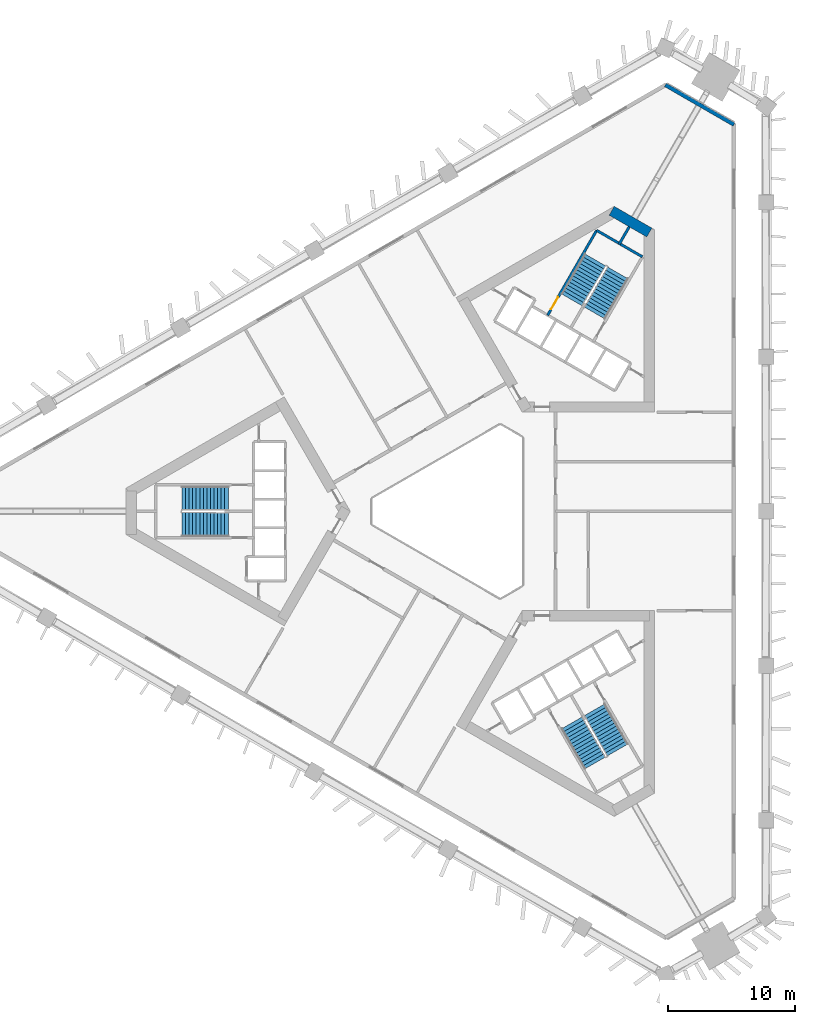
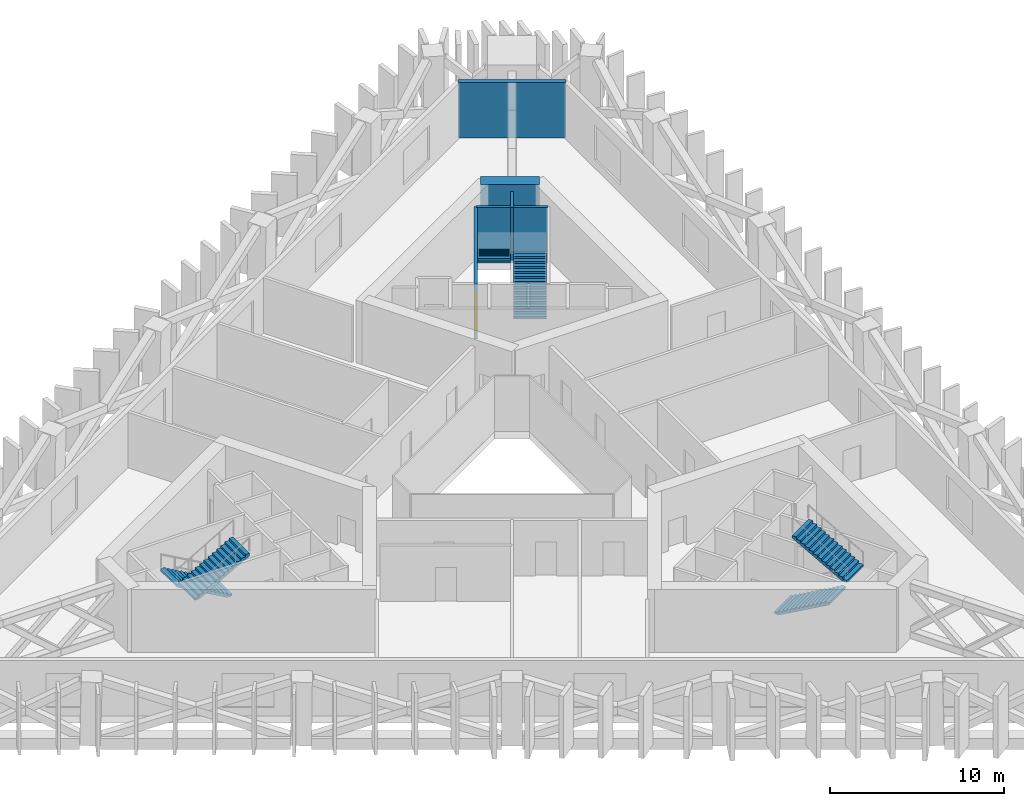
# One storey, part 7 of 9: 6 stair flights, 5 walls, 1 door, 1 opening, 3 elements without a shape of their own.
"""IFC4 building model written with IfcOpenShell, lengths in metres."""

from ifc_helpers import new_model, si_unit, direction, frame, frame_2d, origin, place, context, subcontext, project, spatial, polyline, rectangle, outline, extrude, material, layer, layer_set, type_object, element, fill, aggregate, save


model = new_model("IFC4")

# Units and contexts
model_context = context("Model", 3, precision=1e-05, world=origin(), true_north=direction((0.0, 1.0)))
body_context = subcontext(model_context, "Body", "Model", "MODEL_VIEW")
ifc_project = project(units=[si_unit("LENGTHUNIT", "METRE"), si_unit("AREAUNIT", "SQUARE_METRE"), si_unit("VOLUMEUNIT", "CUBIC_METRE"), si_unit("PLANEANGLEUNIT", "RADIAN"), si_unit("MASSUNIT", "GRAM", prefix="KILO")], contexts=[model_context])

# Site, building, storey
site_placement = place(None, origin())
site = spatial("IfcSite", under=ifc_project, at=site_placement, CompositionType="ELEMENT")
building_placement = place(site_placement, origin())
building = spatial("IfcBuilding", under=site, at=building_placement, Name="Jabali Bay Hotel Tower and Convention Centre", CompositionType="ELEMENT")
storey_placement = place(building_placement, frame((0.0, 0.0, 48.5)))
storey = spatial("IfcBuildingStorey", under=building, at=storey_placement, Name="L10", CompositionType="ELEMENT", Elevation=48.5)

# Wall
ifc_material_1 = material(Name="Concrete C40", Category="concrete")
ifc_layer_1 = layer(ifc_material_1, 0.199951171875)
ifc_layer_set_1 = layer_set([ifc_layer_1], Name="Concrete C40")
wall_type_1 = type_object("IfcWallType", Name="Core partition wall 200", PredefinedType="PARTITIONING", material=ifc_layer_set_1)
wall_1_placement = place(storey_placement, frame((87.090087890625, 100.9404296875, 0.0), z_axis=(0.0, 0.0, 1.0), x_axis=(0.499956811548, 0.866050337213, 0.0)))
element("IfcWall", 1, at=wall_1_placement, inside=storey, type_object=wall_type_1, Name="Core wall 1.5 L10", PredefinedType="PARTITIONING", context=body_context, shape_type="SweptSolid", body=[
    extrude(rectangle(XDim=1.623291015625, YDim=0.199951171875, at=frame_2d((0.8115234375, 0.0))), origin(), (0.0, 0.0, 1.0), 3.89990234375),
])

# Wall, opening, door
ifc_layer_2 = layer(ifc_material_1, 0.199951171875)
ifc_layer_set_2 = layer_set([ifc_layer_2], Name="Concrete C40")
wall_type_2 = type_object("IfcWallType", Name="Core stair wall 200", PredefinedType="SOLIDWALL", material=ifc_layer_set_2)
wall_2_placement = place(storey_placement, frame((81.492919921875, 95.396240234375, 0.0), z_axis=(0.0, 0.0, 1.0), x_axis=(0.500006057782, 0.866021906294, 0.0)))
wall_2 = element("IfcWall", 2, at=wall_2_placement, inside=storey, type_object=wall_type_2, Name="Core wall 1.7 L10", PredefinedType="SOLIDWALL", context=body_context, shape_type="SweptSolid", body=[
    extrude(rectangle(XDim=7.7001953125, YDim=0.199951171875, at=frame_2d((3.85009765625, 0.0))), origin(), (0.0, 0.0, 1.0), 3.89990234375),
])
opening_placement = place(wall_2_placement, frame((0.550048828125, 0.0, 0.0)))
opening = element("IfcOpeningElement", 3, at=opening_placement, cuts=wall_2, Name="Opening D298", PredefinedType="OPENING", context=body_context, shape_type="SweptSolid", body=[
    extrude(rectangle(XDim=1.10009765625, YDim=2.10009765625, at=frame_2d((0.550048828125, 1.050048828125))), frame((0.0, 0.1103515625, 0.0), z_axis=(0.0, -1.0, 0.0), x_axis=(1.0, 0.0, 0.0)), (0.0, 0.0, 1.0), 0.220947265625),
])
ifc_material_2 = material(Name="Fire-rated steel door", Category="steel")
door_type = type_object("IfcDoorType", Name="Stair fire door 1100 x 2100", OperationType="NOTDEFINED", PredefinedType="NOTDEFINED", material=ifc_material_2)
door_placement = place(opening_placement, origin())
door = element("IfcDoor", 4, at=door_placement, inside=storey, type_object=door_type, Name="Stair fire door D298", OperationType="SINGLE_SWING_RIGHT", OverallHeight=2.10009765625, OverallWidth=1.10009765625, PredefinedType="NOTDEFINED", context=body_context, shape_type="SweptSolid", body=[
    extrude(rectangle(XDim=1.10009765625, YDim=2.10009765625, at=frame_2d((0.550048828125, 1.050048828125))), frame((0.0, 0.02490234375, 0.0), z_axis=(0.0, -1.0, 0.0), x_axis=(1.0, 0.0, 0.0)), (0.0, 0.0, 1.0), 0.050048828125),
])
fill(opening, door)

# Walls
wall_3_placement = place(storey_placement, frame((88.93701171875, 99.989501953125, 0.0), z_axis=(0.0, 0.0, 1.0), x_axis=(-0.866004344652, 0.500036473714, 0.0)))
element("IfcWall", 5, at=wall_3_placement, inside=storey, type_object=wall_type_2, Name="Core wall 1.15 L10", PredefinedType="SOLIDWALL", context=body_context, shape_type="SweptSolid", body=[
    extrude(rectangle(XDim=4.150146484375, YDim=0.199951171875, at=frame_2d((2.0751953125, 0.0))), origin(), (0.0, 0.0, 1.0), 3.89990234375),
])
ifc_material_3 = material(Name="Concrete C60", Category="concrete")
ifc_layer_3 = layer(ifc_material_3, 0.800048828125)
ifc_layer_set_3 = layer_set([ifc_layer_3], Name="Concrete C60")
wall_type_3 = type_object("IfcWallType", Name="Core wall 800", PredefinedType="SHEAR", material=ifc_layer_set_3)
wall_4_placement = place(storey_placement, frame((89.47998046875, 101.896728515625, 0.0), z_axis=(0.0, 0.0, 1.0), x_axis=(-0.866034355626, 0.499984494636, 0.0)))
element("IfcWall", 6, at=wall_4_placement, inside=storey, type_object=wall_type_3, Name="Core wall 2.3 L10", PredefinedType="SHEAR", context=body_context, shape_type="SweptSolid", body=[
    extrude(rectangle(XDim=3.4140625, YDim=0.800048828125, at=frame_2d((1.70703125, 0.0))), origin(), (0.0, 0.0, 1.0), 4.39990234375),
])
ifc_layer_4 = layer(ifc_material_1, 0.300048828125)
ifc_layer_set_4 = layer_set([ifc_layer_4], Name="Concrete C40")
wall_type_4 = type_object("IfcWallType", Name="External wall 300", PredefinedType="SOLIDWALL", material=ifc_layer_set_4)
wall_5_placement = place(storey_placement, frame((90.74267578125, 113.48388671875, 0.0), z_axis=(0.0, 0.0, 1.0), x_axis=(0.866020780657, -0.500008007406, 0.0)))
element("IfcWall", 7, at=wall_5_placement, inside=storey, type_object=wall_type_4, Name="External wall north-east chamfer L10", PredefinedType="SOLIDWALL", context=body_context, shape_type="SweptSolid", body=[
    extrude(rectangle(XDim=6.216796875, YDim=0.300048828125, at=frame_2d((3.1083984375, 0.0))), origin(), (0.0, 0.0, 1.0), 3.89990234375),
])

# Stair, stair flights
stair_type = type_object("IfcStairType", Name="Exit stair 1900", PredefinedType="HALF_TURN_STAIR", material=ifc_material_1)
stair_1_placement = place(storey_placement, origin())
stair_1 = element("IfcStair", 8, at=stair_1_placement, inside=storey, type_object=stair_type, Name="L10 Exit Stair 1", PredefinedType="HALF_TURN_STAIR")
stair_flight_type = type_object("IfcStairFlightType", Name="Stair flight concrete 150", PredefinedType="STRAIGHT", material=ifc_material_1)
stair_flight_1_placement = place(storey_placement, frame((56.419921875, 81.02490234375, 0.0), z_axis=(0.0, 0.0, 1.0), x_axis=(-1.0, 0.0, 0.0)))
stair_flight_1 = element("IfcStairFlight", 9, at=stair_flight_1_placement, type_object=stair_flight_type, Name="ST1 flight 1", NumberOfRisers=14, NumberOfTreads=13, PredefinedType="STRAIGHT", RiserHeight=0.157142857, TreadLength=0.28, context=body_context, shape_type="SweptSolid", body=[
    extrude(outline(polyline([(0.0, 0.0), (0.0, 0.1572265625), (0.280029296875, 0.1572265625), (0.280029296875, 0.314208984375), (0.56005859375, 0.314208984375), (0.56005859375, 0.471435546875), (0.840087890625, 0.471435546875), (0.840087890625, 0.628662109375), (1.1201171875, 0.628662109375), (1.1201171875, 0.78564453125), (1.39990234375, 0.78564453125), (1.39990234375, 0.94287109375), (1.679931640625, 0.94287109375), (1.679931640625, 1.10009765625), (1.9599609375, 1.10009765625), (1.9599609375, 1.257080078125), (2.239990234375, 1.257080078125), (2.239990234375, 1.414306640625), (2.52001953125, 1.414306640625), (2.52001953125, 1.571533203125), (2.800048828125, 1.571533203125), (2.800048828125, 1.728515625), (3.080078125, 1.728515625), (3.080078125, 1.8857421875), (3.360107421875, 1.8857421875), (3.360107421875, 2.04296875), (3.639892578125, 2.04296875), (3.639892578125, 2.199951171875), (3.639892578125, 1.870849609375), (0.306396484375, 0.0), (0.0, 0.0)])), frame((0.0, 0.949951171875, 0.0), z_axis=(0.0, -1.0, 0.0), x_axis=(1.0, 0.0, 0.0)), (0.0, 0.0, 1.0), 1.89990234375),
])
stair_flight_2_placement = place(storey_placement, frame((52.780029296875, 78.97509765625, 2.199951171875), z_axis=(0.0, 0.0, 1.0), x_axis=(1.0, 0.0, 0.0)))
stair_flight_2 = element("IfcStairFlight", 10, at=stair_flight_2_placement, type_object=stair_flight_type, Name="ST1 flight 2", NumberOfRisers=14, NumberOfTreads=13, PredefinedType="STRAIGHT", RiserHeight=0.157142857, TreadLength=0.28, context=body_context, shape_type="SweptSolid", body=[
    extrude(outline(polyline([(0.0, 0.0), (0.0, 0.1572265625), (0.280029296875, 0.1572265625), (0.280029296875, 0.314208984375), (0.56005859375, 0.314208984375), (0.56005859375, 0.471435546875), (0.840087890625, 0.471435546875), (0.840087890625, 0.628662109375), (1.1201171875, 0.628662109375), (1.1201171875, 0.78564453125), (1.39990234375, 0.78564453125), (1.39990234375, 0.94287109375), (1.679931640625, 0.94287109375), (1.679931640625, 1.10009765625), (1.9599609375, 1.10009765625), (1.9599609375, 1.257080078125), (2.239990234375, 1.257080078125), (2.239990234375, 1.414306640625), (2.52001953125, 1.414306640625), (2.52001953125, 1.571533203125), (2.800048828125, 1.571533203125), (2.800048828125, 1.728515625), (3.080078125, 1.728515625), (3.080078125, 1.8857421875), (3.360107421875, 1.8857421875), (3.360107421875, 2.04296875), (3.639892578125, 2.04296875), (3.639892578125, 2.199951171875), (3.639892578125, 1.870849609375), (0.306396484375, 0.0), (0.0, 0.0)])), frame((0.0, 0.949951171875, 0.0), z_axis=(0.0, -1.0, 0.0), x_axis=(1.0, 0.0, 0.0)), (0.0, 0.0, 1.0), 1.89990234375),
])
aggregate(stair_1, [stair_flight_1, stair_flight_2])

stair_2_placement = place(storey_placement, origin())
stair_2 = element("IfcStair", 11, at=stair_2_placement, inside=storey, type_object=stair_type, Name="L10 Exit Stair 2", PredefinedType="HALF_TURN_STAIR")
stair_flight_3_placement = place(storey_placement, frame((85.177734375, 95.578369140625, 0.0), z_axis=(0.0, 0.0, 1.0), x_axis=(0.5, 0.866025403784, 0.0)))
stair_flight_3 = element("IfcStairFlight", 12, at=stair_flight_3_placement, type_object=stair_flight_type, Name="ST2 flight 1", NumberOfRisers=14, NumberOfTreads=13, PredefinedType="STRAIGHT", RiserHeight=0.157142857, TreadLength=0.28, context=body_context, shape_type="SweptSolid", body=[
    extrude(outline(polyline([(0.0, 0.0), (0.0, 0.1572265625), (0.280029296875, 0.1572265625), (0.280029296875, 0.314208984375), (0.56005859375, 0.314208984375), (0.56005859375, 0.471435546875), (0.840087890625, 0.471435546875), (0.840087890625, 0.628662109375), (1.1201171875, 0.628662109375), (1.1201171875, 0.78564453125), (1.39990234375, 0.78564453125), (1.39990234375, 0.94287109375), (1.679931640625, 0.94287109375), (1.679931640625, 1.10009765625), (1.9599609375, 1.10009765625), (1.9599609375, 1.257080078125), (2.239990234375, 1.257080078125), (2.239990234375, 1.414306640625), (2.52001953125, 1.414306640625), (2.52001953125, 1.571533203125), (2.800048828125, 1.571533203125), (2.800048828125, 1.728515625), (3.080078125, 1.728515625), (3.080078125, 1.8857421875), (3.360107421875, 1.8857421875), (3.360107421875, 2.04296875), (3.639892578125, 2.04296875), (3.639892578125, 2.199951171875), (3.639892578125, 1.870849609375), (0.306396484375, 0.0), (0.0, 0.0)])), frame((0.0, 0.949951171875, 0.0), z_axis=(0.0, -1.0, 0.0), x_axis=(1.0, 0.0, 0.0)), (0.0, 0.0, 1.0), 1.89990234375),
])
stair_flight_4_placement = place(storey_placement, frame((85.222412109375, 99.755615234375, 2.199951171875), z_axis=(0.0, 0.0, 1.0), x_axis=(-0.5, -0.866025403784, 0.0)))
stair_flight_4 = element("IfcStairFlight", 13, at=stair_flight_4_placement, type_object=stair_flight_type, Name="ST2 flight 2", NumberOfRisers=14, NumberOfTreads=13, PredefinedType="STRAIGHT", RiserHeight=0.157142857, TreadLength=0.28, context=body_context, shape_type="SweptSolid", body=[
    extrude(outline(polyline([(0.0, 0.0), (0.0, 0.1572265625), (0.280029296875, 0.1572265625), (0.280029296875, 0.314208984375), (0.56005859375, 0.314208984375), (0.56005859375, 0.471435546875), (0.840087890625, 0.471435546875), (0.840087890625, 0.628662109375), (1.1201171875, 0.628662109375), (1.1201171875, 0.78564453125), (1.39990234375, 0.78564453125), (1.39990234375, 0.94287109375), (1.679931640625, 0.94287109375), (1.679931640625, 1.10009765625), (1.9599609375, 1.10009765625), (1.9599609375, 1.257080078125), (2.239990234375, 1.257080078125), (2.239990234375, 1.414306640625), (2.52001953125, 1.414306640625), (2.52001953125, 1.571533203125), (2.800048828125, 1.571533203125), (2.800048828125, 1.728515625), (3.080078125, 1.728515625), (3.080078125, 1.8857421875), (3.360107421875, 1.8857421875), (3.360107421875, 2.04296875), (3.639892578125, 2.04296875), (3.639892578125, 2.199951171875), (3.639892578125, 1.870849609375), (0.306396484375, 0.0), (0.0, 0.0)])), frame((0.0, 0.949951171875, 0.0), z_axis=(0.0, -1.0, 0.0), x_axis=(1.0, 0.0, 0.0)), (0.0, 0.0, 1.0), 1.89990234375),
])
aggregate(stair_2, [stair_flight_3, stair_flight_4])

stair_3_placement = place(storey_placement, origin())
stair_3 = element("IfcStair", 14, at=stair_3_placement, inside=storey, type_object=stair_type, Name="L10 Exit Stair 3", PredefinedType="HALF_TURN_STAIR")
stair_flight_5_placement = place(storey_placement, frame((83.40234375, 63.396728515625, 0.0), z_axis=(0.0, 0.0, 1.0), x_axis=(0.5, -0.866025403784, 0.0)))
stair_flight_5 = element("IfcStairFlight", 15, at=stair_flight_5_placement, type_object=stair_flight_type, Name="ST3 flight 1", NumberOfRisers=14, NumberOfTreads=13, PredefinedType="STRAIGHT", RiserHeight=0.157142857, TreadLength=0.28, context=body_context, shape_type="SweptSolid", body=[
    extrude(outline(polyline([(0.0, 0.0), (0.0, 0.1572265625), (0.280029296875, 0.1572265625), (0.280029296875, 0.314208984375), (0.56005859375, 0.314208984375), (0.56005859375, 0.471435546875), (0.840087890625, 0.471435546875), (0.840087890625, 0.628662109375), (1.1201171875, 0.628662109375), (1.1201171875, 0.78564453125), (1.39990234375, 0.78564453125), (1.39990234375, 0.94287109375), (1.679931640625, 0.94287109375), (1.679931640625, 1.10009765625), (1.9599609375, 1.10009765625), (1.9599609375, 1.257080078125), (2.239990234375, 1.257080078125), (2.239990234375, 1.414306640625), (2.52001953125, 1.414306640625), (2.52001953125, 1.571533203125), (2.800048828125, 1.571533203125), (2.800048828125, 1.728515625), (3.080078125, 1.728515625), (3.080078125, 1.8857421875), (3.360107421875, 1.8857421875), (3.360107421875, 2.04296875), (3.639892578125, 2.04296875), (3.639892578125, 2.199951171875), (3.639892578125, 1.870849609375), (0.306396484375, 0.0), (0.0, 0.0)])), frame((0.0, 0.949951171875, 0.0), z_axis=(0.0, -1.0, 0.0), x_axis=(1.0, 0.0, 0.0)), (0.0, 0.0, 1.0), 1.89990234375),
])
stair_flight_6_placement = place(storey_placement, frame((86.99755859375, 61.26953125, 2.199951171875), z_axis=(0.0, 0.0, 1.0), x_axis=(-0.5, 0.866025403784, 0.0)))
stair_flight_6 = element("IfcStairFlight", 16, at=stair_flight_6_placement, type_object=stair_flight_type, Name="ST3 flight 2", NumberOfRisers=14, NumberOfTreads=13, PredefinedType="STRAIGHT", RiserHeight=0.157142857, TreadLength=0.28, context=body_context, shape_type="SweptSolid", body=[
    extrude(outline(polyline([(0.0, 0.0), (0.0, 0.1572265625), (0.280029296875, 0.1572265625), (0.280029296875, 0.314208984375), (0.56005859375, 0.314208984375), (0.56005859375, 0.471435546875), (0.840087890625, 0.471435546875), (0.840087890625, 0.628662109375), (1.1201171875, 0.628662109375), (1.1201171875, 0.78564453125), (1.39990234375, 0.78564453125), (1.39990234375, 0.94287109375), (1.679931640625, 0.94287109375), (1.679931640625, 1.10009765625), (1.9599609375, 1.10009765625), (1.9599609375, 1.257080078125), (2.239990234375, 1.257080078125), (2.239990234375, 1.414306640625), (2.52001953125, 1.414306640625), (2.52001953125, 1.571533203125), (2.800048828125, 1.571533203125), (2.800048828125, 1.728515625), (3.080078125, 1.728515625), (3.080078125, 1.8857421875), (3.360107421875, 1.8857421875), (3.360107421875, 2.04296875), (3.639892578125, 2.04296875), (3.639892578125, 2.199951171875), (3.639892578125, 1.870849609375), (0.306396484375, 0.0), (0.0, 0.0)])), frame((0.0, 0.949951171875, 0.0), z_axis=(0.0, -1.0, 0.0), x_axis=(1.0, 0.0, 0.0)), (0.0, 0.0, 1.0), 1.89990234375),
])
aggregate(stair_3, [stair_flight_5, stair_flight_6])

save(model, "model.ifc")
